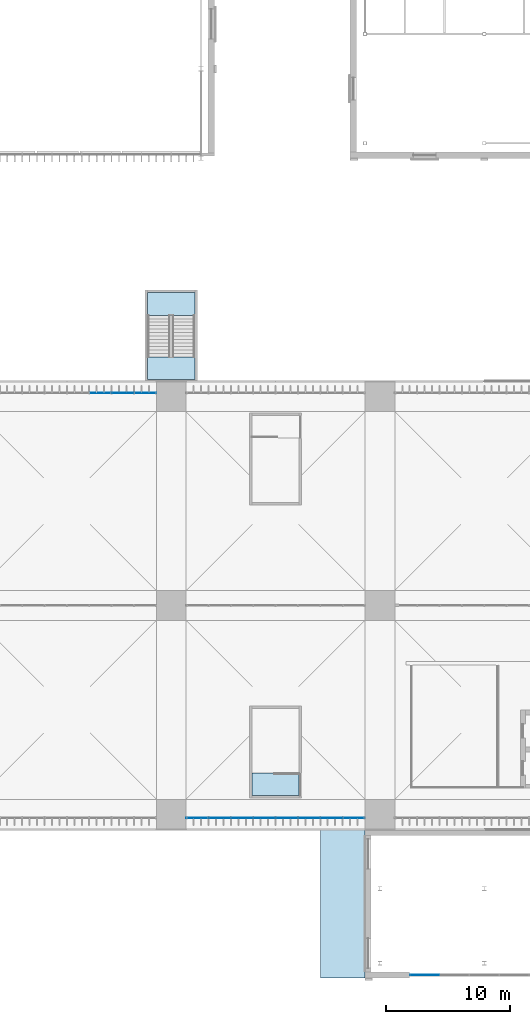
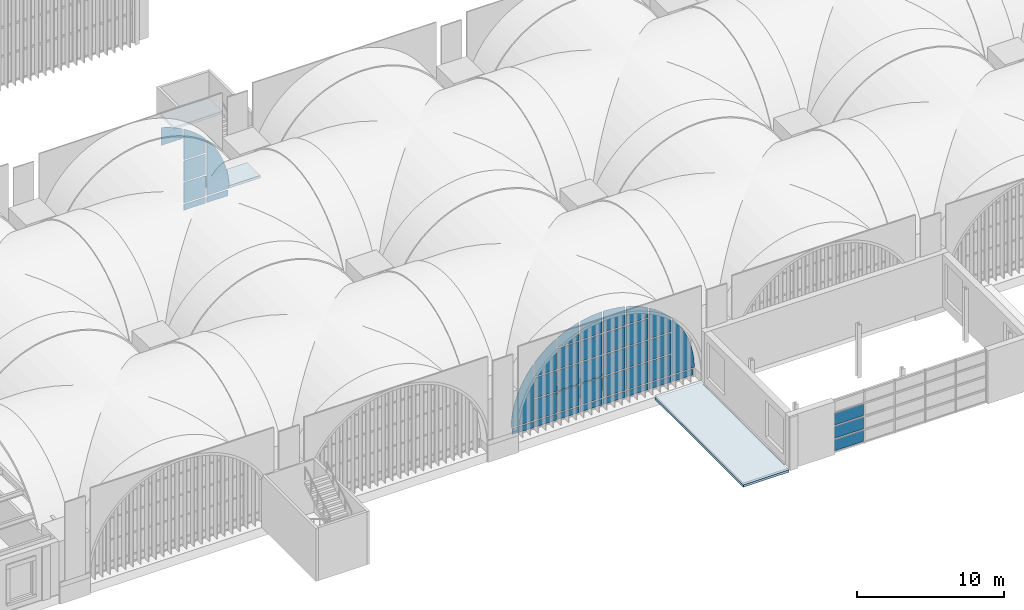
# One storey, part 80 of 169: 42 plates, 4 slabs, 4 elements without a shape of their own.
"""IFC4 building model written with IfcOpenShell, lengths in metres."""

from ifc_helpers import new_model, si_unit, direction, frame, origin, origin_2d, place, context, subcontext, project, spatial, polyline, rectangle, outline, extrude, material, layer, layer_set, type_object, element, aggregate, save


model = new_model("IFC4")

# Units and contexts
model_context = context("Model", 3, precision=1e-05, world=origin(), true_north=direction((0.0, 1.0)))
body_context = subcontext(model_context, "Body", "Model", "MODEL_VIEW")
ifc_project = project(units=[si_unit("LENGTHUNIT", "METRE"), si_unit("AREAUNIT", "SQUARE_METRE"), si_unit("VOLUMEUNIT", "CUBIC_METRE"), si_unit("PLANEANGLEUNIT", "RADIAN"), si_unit("MASSUNIT", "GRAM", prefix="KILO")], contexts=[model_context])

# Site, building, storey
site_placement = place(None, origin())
site = spatial("IfcSite", under=ifc_project, at=site_placement, CompositionType="ELEMENT")
building_placement = place(site_placement, origin())
building = spatial("IfcBuilding", under=site, at=building_placement, Name="Verrick Yard Athletic Hall", CompositionType="ELEMENT")
storey_placement = place(building_placement, frame((0.0, 0.0, 4.39990234375)))
storey = spatial("IfcBuildingStorey", under=building, at=storey_placement, Name="L01", CompositionType="ELEMENT", Elevation=4.39990234375)

# Slabs
ifc_material_1 = material(Name="Concrete 35 MPa", Category="concrete")
ifc_layer_1 = layer(ifc_material_1, 0.199951171875)
ifc_layer_set_1 = layer_set([ifc_layer_1], Name="Core floor slab 200")
slab_type_1 = type_object("IfcSlabType", Name="Core floor slab 200", PredefinedType="FLOOR", material=ifc_layer_set_1)
slab_1_placement = place(storey_placement, frame((0.0, 0.0, -0.199951171875)))
element("IfcSlab", 1, at=slab_1_placement, inside=storey, type_object=slab_type_1, Name="CORE-DT-N3-NL-L01", PredefinedType="FLOOR", context=body_context, shape_type="SweptSolid", body=[
    extrude(outline(polyline([(75.5, 54.199951171875), (75.5, 56.0), (71.699951171875, 56.0), (71.699951171875, 54.199951171875), (75.5, 54.199951171875)])), origin(), (0.0, 0.0, 1.0), 0.199951171875),
])
slab_2_placement = place(storey_placement, frame((0.0, 0.0, -0.199951171875)))
element("IfcSlab", 2, at=slab_2_placement, inside=storey, type_object=slab_type_1, Name="CORE-PS-S2-NL-L01", PredefinedType="FLOOR", context=body_context, shape_type="SweptSolid", body=[
    extrude(outline(polyline([(83.89990234375, 20.699951171875), (83.89990234375, 22.5), (80.10009765625, 22.5), (80.10009765625, 20.699951171875), (83.89990234375, 20.699951171875)])), origin(), (0.0, 0.0, 1.0), 0.199951171875),
])

# Curtain wall, plates
ifc_material_2 = material(Name="Aluminium and glass curtain wall", Category="aluminium")
ifc_layer_2 = layer(ifc_material_2, 0.14990234375)
ifc_layer_set_2 = layer_set([ifc_layer_2], Name="Arcade glazing arch")
curtain_wall_type_1 = type_object("IfcCurtainWallType", Name="Arcade glazing arch", PredefinedType="NOTDEFINED", material=ifc_layer_set_2)
curtain_wall_1_placement = place(storey_placement, origin())
curtain_wall_1 = element("IfcCurtainWall", 3, at=curtain_wall_1_placement, inside=storey, type_object=curtain_wall_type_1, Name="Arcade glazing S3", PredefinedType="NOTDEFINED")
ifc_material_3 = material(Name="Laminated glass 28 mm", Category="glass")
ifc_layer_3 = layer(ifc_material_3, 0.028076171875)
ifc_layer_set_3 = layer_set([ifc_layer_3], Name="Curtain wall glass panel")
plate_type_1 = type_object("IfcPlateType", Name="Curtain wall glass panel", PredefinedType="CURTAIN_PANEL", material=ifc_layer_set_3)
plate_1_placement = place(storey_placement, frame((74.800048828125, 18.89990234375, 0.101806640625), z_axis=(0.0, 0.0, 1.0), x_axis=(1.0, 0.0, 0.0)))
plate_1 = element("IfcPlate", 4, at=plate_1_placement, type_object=plate_type_1, Name="Arcade glazing S3 panel 1", PredefinedType="CURTAIN_PANEL", context=body_context, shape_type="SweptSolid", body=[
    extrude(outline(polyline([(1.749267578125, 0.0), (1.749267578125, 0.49755859375), (0.10205078125, 0.49755859375), (0.10205078125, 0.0), (1.749267578125, 0.0)])), frame((0.0, 0.01416015625, 0.0), z_axis=(0.0, -1.0, 0.0), x_axis=(1.0, 0.0, 0.0)), (0.0, 0.0, 1.0), 0.028076171875),
])
plate_2_placement = place(storey_placement, frame((74.800048828125, 18.89990234375, 0.700927734375), z_axis=(0.0, 0.0, 1.0), x_axis=(1.0, 0.0, 0.0)))
plate_2 = element("IfcPlate", 5, at=plate_2_placement, type_object=plate_type_1, Name="Arcade glazing S3 panel 2", PredefinedType="CURTAIN_PANEL", context=body_context, shape_type="SweptSolid", body=[
    extrude(outline(polyline([(1.749267578125, 4.651123046875), (1.6845703125, 4.5771484375), (1.48779296875, 4.332275390625), (1.302001953125, 4.078857421875), (1.127685546875, 3.81787109375), (0.964599609375, 3.549072265625), (0.8134765625, 3.273681640625), (0.674560546875, 2.9921875), (0.548095703125, 2.70458984375), (0.43408203125, 2.41162109375), (0.333251953125, 2.1142578125), (0.245361328125, 1.812744140625), (0.170654296875, 1.507568359375), (0.109375, 1.199462890625), (0.0615234375, 0.888916015625), (0.02734375, 0.57666015625), (0.0068359375, 0.26318359375), (0.001220703125, 0.0), (1.749267578125, 0.0), (1.749267578125, 4.651123046875)])), frame((0.0, 0.01416015625, 0.0), z_axis=(0.0, -1.0, 0.0), x_axis=(1.0, 0.0, 0.0)), (0.0, 0.0, 1.0), 0.028076171875),
])
plate_3_placement = place(storey_placement, frame((74.800048828125, 18.89990234375, 0.101806640625), z_axis=(0.0, 0.0, 1.0), x_axis=(1.0, 0.0, 0.0)))
plate_3 = element("IfcPlate", 6, at=plate_3_placement, type_object=plate_type_1, Name="Arcade glazing S3 panel 3", PredefinedType="CURTAIN_PANEL", context=body_context, shape_type="SweptSolid", body=[
    extrude(outline(polyline([(3.54931640625, 0.0), (3.54931640625, 0.49755859375), (1.850830078125, 0.49755859375), (1.850830078125, 0.0), (3.54931640625, 0.0)])), frame((0.0, 0.01416015625, 0.0), z_axis=(0.0, -1.0, 0.0), x_axis=(1.0, 0.0, 0.0)), (0.0, 0.0, 1.0), 0.028076171875),
])
plate_4_placement = place(storey_placement, frame((74.800048828125, 18.89990234375, 0.700927734375), z_axis=(0.0, 0.0, 1.0), x_axis=(1.0, 0.0, 0.0)))
plate_4 = element("IfcPlate", 7, at=plate_4_placement, type_object=plate_type_1, Name="Arcade glazing S3 panel 4", PredefinedType="CURTAIN_PANEL", context=body_context, shape_type="SweptSolid", body=[
    extrude(outline(polyline([(3.54931640625, 0.0), (3.54931640625, 1.698486328125), (1.850830078125, 1.698486328125), (1.850830078125, 0.0), (3.54931640625, 0.0)])), frame((0.0, 0.01416015625, 0.0), z_axis=(0.0, -1.0, 0.0), x_axis=(1.0, 0.0, 0.0)), (0.0, 0.0, 1.0), 0.028076171875),
])
plate_5_placement = place(storey_placement, frame((74.800048828125, 18.89990234375, 2.5009765625), z_axis=(0.0, 0.0, 1.0), x_axis=(1.0, 0.0, 0.0)))
plate_5 = element("IfcPlate", 8, at=plate_5_placement, type_object=plate_type_1, Name="Arcade glazing S3 panel 5", PredefinedType="CURTAIN_PANEL", context=body_context, shape_type="SweptSolid", body=[
    extrude(outline(polyline([(3.54931640625, 0.0), (3.54931640625, 1.6982421875), (1.850830078125, 1.6982421875), (1.850830078125, 0.0), (3.54931640625, 0.0)])), frame((0.0, 0.01416015625, 0.0), z_axis=(0.0, -1.0, 0.0), x_axis=(1.0, 0.0, 0.0)), (0.0, 0.0, 1.0), 0.028076171875),
])
plate_6_placement = place(storey_placement, frame((74.800048828125, 18.89990234375, 4.30078125), z_axis=(0.0, 0.0, 1.0), x_axis=(1.0, 0.0, 0.0)))
plate_6 = element("IfcPlate", 9, at=plate_6_placement, type_object=plate_type_1, Name="Arcade glazing S3 panel 6", PredefinedType="CURTAIN_PANEL", context=body_context, shape_type="SweptSolid", body=[
    extrude(outline(polyline([(3.54931640625, 2.553955078125), (3.331298828125, 2.421630859375), (3.0703125, 2.247314453125), (2.81689453125, 2.0615234375), (2.572021484375, 1.86474609375), (2.335693359375, 1.65771484375), (2.10888671875, 1.4404296875), (1.8916015625, 1.213623046875), (1.850830078125, 1.1669921875), (1.850830078125, 0.0), (3.54931640625, 0.0), (3.54931640625, 2.553955078125)])), frame((0.0, 0.01416015625, 0.0), z_axis=(0.0, -1.0, 0.0), x_axis=(1.0, 0.0, 0.0)), (0.0, 0.0, 1.0), 0.028076171875),
])
plate_7_placement = place(storey_placement, frame((74.800048828125, 18.89990234375, 0.101806640625), z_axis=(0.0, 0.0, 1.0), x_axis=(1.0, 0.0, 0.0)))
plate_7 = element("IfcPlate", 10, at=plate_7_placement, type_object=plate_type_1, Name="Arcade glazing S3 panel 7", PredefinedType="CURTAIN_PANEL", context=body_context, shape_type="SweptSolid", body=[
    extrude(outline(polyline([(5.34912109375, 0.0), (5.34912109375, 0.49755859375), (3.65087890625, 0.49755859375), (3.65087890625, 0.0), (5.34912109375, 0.0)])), frame((0.0, 0.01416015625, 0.0), z_axis=(0.0, -1.0, 0.0), x_axis=(1.0, 0.0, 0.0)), (0.0, 0.0, 1.0), 0.028076171875),
])
plate_8_placement = place(storey_placement, frame((74.800048828125, 18.89990234375, 0.700927734375), z_axis=(0.0, 0.0, 1.0), x_axis=(1.0, 0.0, 0.0)))
plate_8 = element("IfcPlate", 11, at=plate_8_placement, type_object=plate_type_1, Name="Arcade glazing S3 panel 8", PredefinedType="CURTAIN_PANEL", context=body_context, shape_type="SweptSolid", body=[
    extrude(outline(polyline([(5.34912109375, 0.0), (5.34912109375, 1.698486328125), (3.65087890625, 1.698486328125), (3.65087890625, 0.0), (5.34912109375, 0.0)])), frame((0.0, 0.01416015625, 0.0), z_axis=(0.0, -1.0, 0.0), x_axis=(1.0, 0.0, 0.0)), (0.0, 0.0, 1.0), 0.028076171875),
])
plate_9_placement = place(storey_placement, frame((74.800048828125, 18.89990234375, 2.5009765625), z_axis=(0.0, 0.0, 1.0), x_axis=(1.0, 0.0, 0.0)))
plate_9 = element("IfcPlate", 12, at=plate_9_placement, type_object=plate_type_1, Name="Arcade glazing S3 panel 9", PredefinedType="CURTAIN_PANEL", context=body_context, shape_type="SweptSolid", body=[
    extrude(outline(polyline([(5.34912109375, 0.0), (5.34912109375, 1.6982421875), (3.65087890625, 1.6982421875), (3.65087890625, 0.0), (5.34912109375, 0.0)])), frame((0.0, 0.01416015625, 0.0), z_axis=(0.0, -1.0, 0.0), x_axis=(1.0, 0.0, 0.0)), (0.0, 0.0, 1.0), 0.028076171875),
])
plate_10_placement = place(storey_placement, frame((74.800048828125, 18.89990234375, 4.30078125), z_axis=(0.0, 0.0, 1.0), x_axis=(1.0, 0.0, 0.0)))
plate_10 = element("IfcPlate", 13, at=plate_10_placement, type_object=plate_type_1, Name="Arcade glazing S3 panel 10", PredefinedType="CURTAIN_PANEL", context=body_context, shape_type="SweptSolid", body=[
    extrude(outline(polyline([(5.34912109375, 0.0), (5.34912109375, 1.698486328125), (3.65087890625, 1.698486328125), (3.65087890625, 0.0), (5.34912109375, 0.0)])), frame((0.0, 0.01416015625, 0.0), z_axis=(0.0, -1.0, 0.0), x_axis=(1.0, 0.0, 0.0)), (0.0, 0.0, 1.0), 0.028076171875),
])
plate_11_placement = place(storey_placement, frame((74.800048828125, 18.89990234375, 6.100830078125), z_axis=(0.0, 0.0, 1.0), x_axis=(1.0, 0.0, 0.0)))
plate_11 = element("IfcPlate", 14, at=plate_11_placement, type_object=plate_type_1, Name="Arcade glazing S3 panel 11", PredefinedType="CURTAIN_PANEL", context=body_context, shape_type="SweptSolid", body=[
    extrude(outline(polyline([(5.34912109375, 1.507080078125), (5.33642578125, 1.50390625), (5.034912109375, 1.416015625), (4.737548828125, 1.315185546875), (4.444580078125, 1.201171875), (4.156982421875, 1.07470703125), (3.87548828125, 0.935791015625), (3.65087890625, 0.8125), (3.65087890625, 0.0), (5.34912109375, 0.0), (5.34912109375, 1.507080078125)])), frame((0.0, 0.01416015625, 0.0), z_axis=(0.0, -1.0, 0.0), x_axis=(1.0, 0.0, 0.0)), (0.0, 0.0, 1.0), 0.028076171875),
])
plate_12_placement = place(storey_placement, frame((74.800048828125, 18.89990234375, 0.101806640625), z_axis=(0.0, 0.0, 1.0), x_axis=(1.0, 0.0, 0.0)))
plate_12 = element("IfcPlate", 15, at=plate_12_placement, type_object=plate_type_1, Name="Arcade glazing S3 panel 12", PredefinedType="CURTAIN_PANEL", context=body_context, shape_type="SweptSolid", body=[
    extrude(outline(polyline([(7.149169921875, 0.0), (7.149169921875, 0.49755859375), (5.45068359375, 0.49755859375), (5.45068359375, 0.0), (7.149169921875, 0.0)])), frame((0.0, 0.01416015625, 0.0), z_axis=(0.0, -1.0, 0.0), x_axis=(1.0, 0.0, 0.0)), (0.0, 0.0, 1.0), 0.028076171875),
])
plate_13_placement = place(storey_placement, frame((74.800048828125, 18.89990234375, 0.700927734375), z_axis=(0.0, 0.0, 1.0), x_axis=(1.0, 0.0, 0.0)))
plate_13 = element("IfcPlate", 16, at=plate_13_placement, type_object=plate_type_1, Name="Arcade glazing S3 panel 13", PredefinedType="CURTAIN_PANEL", context=body_context, shape_type="SweptSolid", body=[
    extrude(outline(polyline([(7.149169921875, 0.0), (7.149169921875, 1.698486328125), (5.45068359375, 1.698486328125), (5.45068359375, 0.0), (7.149169921875, 0.0)])), frame((0.0, 0.01416015625, 0.0), z_axis=(0.0, -1.0, 0.0), x_axis=(1.0, 0.0, 0.0)), (0.0, 0.0, 1.0), 0.028076171875),
])
plate_14_placement = place(storey_placement, frame((74.800048828125, 18.89990234375, 2.5009765625), z_axis=(0.0, 0.0, 1.0), x_axis=(1.0, 0.0, 0.0)))
plate_14 = element("IfcPlate", 17, at=plate_14_placement, type_object=plate_type_1, Name="Arcade glazing S3 panel 14", PredefinedType="CURTAIN_PANEL", context=body_context, shape_type="SweptSolid", body=[
    extrude(outline(polyline([(7.149169921875, 0.0), (7.149169921875, 1.6982421875), (5.45068359375, 1.6982421875), (5.45068359375, 0.0), (7.149169921875, 0.0)])), frame((0.0, 0.01416015625, 0.0), z_axis=(0.0, -1.0, 0.0), x_axis=(1.0, 0.0, 0.0)), (0.0, 0.0, 1.0), 0.028076171875),
])
plate_15_placement = place(storey_placement, frame((74.800048828125, 18.89990234375, 4.30078125), z_axis=(0.0, 0.0, 1.0), x_axis=(1.0, 0.0, 0.0)))
plate_15 = element("IfcPlate", 18, at=plate_15_placement, type_object=plate_type_1, Name="Arcade glazing S3 panel 15", PredefinedType="CURTAIN_PANEL", context=body_context, shape_type="SweptSolid", body=[
    extrude(outline(polyline([(7.149169921875, 0.0), (7.149169921875, 1.698486328125), (5.45068359375, 1.698486328125), (5.45068359375, 0.0), (7.149169921875, 0.0)])), frame((0.0, 0.01416015625, 0.0), z_axis=(0.0, -1.0, 0.0), x_axis=(1.0, 0.0, 0.0)), (0.0, 0.0, 1.0), 0.028076171875),
])
plate_16_placement = place(storey_placement, frame((74.800048828125, 18.89990234375, 6.100830078125), z_axis=(0.0, 0.0, 1.0), x_axis=(1.0, 0.0, 0.0)))
plate_16 = element("IfcPlate", 19, at=plate_16_placement, type_object=plate_type_1, Name="Arcade glazing S3 panel 16", PredefinedType="CURTAIN_PANEL", context=body_context, shape_type="SweptSolid", body=[
    extrude(outline(polyline([(7.149169921875, 1.748046875), (6.885986328125, 1.742431640625), (6.572509765625, 1.721923828125), (6.26025390625, 1.687744140625), (5.94970703125, 1.639892578125), (5.6416015625, 1.57861328125), (5.45068359375, 1.531982421875), (5.45068359375, 0.0), (7.149169921875, 0.0), (7.149169921875, 1.748046875)])), frame((0.0, 0.01416015625, 0.0), z_axis=(0.0, -1.0, 0.0), x_axis=(1.0, 0.0, 0.0)), (0.0, 0.0, 1.0), 0.028076171875),
])
plate_17_placement = place(storey_placement, frame((74.800048828125, 18.89990234375, 0.101806640625), z_axis=(0.0, 0.0, 1.0), x_axis=(1.0, 0.0, 0.0)))
plate_17 = element("IfcPlate", 20, at=plate_17_placement, type_object=plate_type_1, Name="Arcade glazing S3 panel 17", PredefinedType="CURTAIN_PANEL", context=body_context, shape_type="SweptSolid", body=[
    extrude(outline(polyline([(8.94921875, 0.0), (8.94921875, 0.49755859375), (7.250732421875, 0.49755859375), (7.250732421875, 0.0), (8.94921875, 0.0)])), frame((0.0, 0.01416015625, 0.0), z_axis=(0.0, -1.0, 0.0), x_axis=(1.0, 0.0, 0.0)), (0.0, 0.0, 1.0), 0.028076171875),
])
plate_18_placement = place(storey_placement, frame((74.800048828125, 18.89990234375, 0.700927734375), z_axis=(0.0, 0.0, 1.0), x_axis=(1.0, 0.0, 0.0)))
plate_18 = element("IfcPlate", 21, at=plate_18_placement, type_object=plate_type_1, Name="Arcade glazing S3 panel 18", PredefinedType="CURTAIN_PANEL", context=body_context, shape_type="SweptSolid", body=[
    extrude(outline(polyline([(8.94921875, 0.0), (8.94921875, 1.698486328125), (7.250732421875, 1.698486328125), (7.250732421875, 0.0), (8.94921875, 0.0)])), frame((0.0, 0.01416015625, 0.0), z_axis=(0.0, -1.0, 0.0), x_axis=(1.0, 0.0, 0.0)), (0.0, 0.0, 1.0), 0.028076171875),
])
plate_19_placement = place(storey_placement, frame((74.800048828125, 18.89990234375, 2.5009765625), z_axis=(0.0, 0.0, 1.0), x_axis=(1.0, 0.0, 0.0)))
plate_19 = element("IfcPlate", 22, at=plate_19_placement, type_object=plate_type_1, Name="Arcade glazing S3 panel 19", PredefinedType="CURTAIN_PANEL", context=body_context, shape_type="SweptSolid", body=[
    extrude(outline(polyline([(8.94921875, 0.0), (8.94921875, 1.6982421875), (7.250732421875, 1.6982421875), (7.250732421875, 0.0), (8.94921875, 0.0)])), frame((0.0, 0.01416015625, 0.0), z_axis=(0.0, -1.0, 0.0), x_axis=(1.0, 0.0, 0.0)), (0.0, 0.0, 1.0), 0.028076171875),
])
plate_20_placement = place(storey_placement, frame((74.800048828125, 18.89990234375, 4.30078125), z_axis=(0.0, 0.0, 1.0), x_axis=(1.0, 0.0, 0.0)))
plate_20 = element("IfcPlate", 23, at=plate_20_placement, type_object=plate_type_1, Name="Arcade glazing S3 panel 20", PredefinedType="CURTAIN_PANEL", context=body_context, shape_type="SweptSolid", body=[
    extrude(outline(polyline([(8.94921875, 0.0), (8.94921875, 1.698486328125), (7.250732421875, 1.698486328125), (7.250732421875, 0.0), (8.94921875, 0.0)])), frame((0.0, 0.01416015625, 0.0), z_axis=(0.0, -1.0, 0.0), x_axis=(1.0, 0.0, 0.0)), (0.0, 0.0, 1.0), 0.028076171875),
])
plate_21_placement = place(storey_placement, frame((74.800048828125, 18.89990234375, 6.100830078125), z_axis=(0.0, 0.0, 1.0), x_axis=(1.0, 0.0, 0.0)))
plate_21 = element("IfcPlate", 24, at=plate_21_placement, type_object=plate_type_1, Name="Arcade glazing S3 panel 21", PredefinedType="CURTAIN_PANEL", context=body_context, shape_type="SweptSolid", body=[
    extrude(outline(polyline([(8.94921875, 1.531982421875), (8.75830078125, 1.57861328125), (8.4501953125, 1.639892578125), (8.139892578125, 1.687744140625), (7.827392578125, 1.721923828125), (7.51416015625, 1.742431640625), (7.250732421875, 1.748046875), (7.250732421875, 0.0), (8.94921875, 0.0), (8.94921875, 1.531982421875)])), frame((0.0, 0.01416015625, 0.0), z_axis=(0.0, -1.0, 0.0), x_axis=(1.0, 0.0, 0.0)), (0.0, 0.0, 1.0), 0.028076171875),
])
plate_22_placement = place(storey_placement, frame((74.800048828125, 18.89990234375, 0.101806640625), z_axis=(0.0, 0.0, 1.0), x_axis=(1.0, 0.0, 0.0)))
plate_22 = element("IfcPlate", 25, at=plate_22_placement, type_object=plate_type_1, Name="Arcade glazing S3 panel 22", PredefinedType="CURTAIN_PANEL", context=body_context, shape_type="SweptSolid", body=[
    extrude(outline(polyline([(10.749267578125, 0.0), (10.749267578125, 0.49755859375), (9.05078125, 0.49755859375), (9.05078125, 0.0), (10.749267578125, 0.0)])), frame((0.0, 0.01416015625, 0.0), z_axis=(0.0, -1.0, 0.0), x_axis=(1.0, 0.0, 0.0)), (0.0, 0.0, 1.0), 0.028076171875),
])
plate_23_placement = place(storey_placement, frame((74.800048828125, 18.89990234375, 0.700927734375), z_axis=(0.0, 0.0, 1.0), x_axis=(1.0, 0.0, 0.0)))
plate_23 = element("IfcPlate", 26, at=plate_23_placement, type_object=plate_type_1, Name="Arcade glazing S3 panel 23", PredefinedType="CURTAIN_PANEL", context=body_context, shape_type="SweptSolid", body=[
    extrude(outline(polyline([(10.749267578125, 0.0), (10.749267578125, 1.698486328125), (9.05078125, 1.698486328125), (9.05078125, 0.0), (10.749267578125, 0.0)])), frame((0.0, 0.01416015625, 0.0), z_axis=(0.0, -1.0, 0.0), x_axis=(1.0, 0.0, 0.0)), (0.0, 0.0, 1.0), 0.028076171875),
])
plate_24_placement = place(storey_placement, frame((74.800048828125, 18.89990234375, 2.5009765625), z_axis=(0.0, 0.0, 1.0), x_axis=(1.0, 0.0, 0.0)))
plate_24 = element("IfcPlate", 27, at=plate_24_placement, type_object=plate_type_1, Name="Arcade glazing S3 panel 24", PredefinedType="CURTAIN_PANEL", context=body_context, shape_type="SweptSolid", body=[
    extrude(outline(polyline([(10.749267578125, 0.0), (10.749267578125, 1.6982421875), (9.05078125, 1.6982421875), (9.05078125, 0.0), (10.749267578125, 0.0)])), frame((0.0, 0.01416015625, 0.0), z_axis=(0.0, -1.0, 0.0), x_axis=(1.0, 0.0, 0.0)), (0.0, 0.0, 1.0), 0.028076171875),
])
plate_25_placement = place(storey_placement, frame((74.800048828125, 18.89990234375, 4.30078125), z_axis=(0.0, 0.0, 1.0), x_axis=(1.0, 0.0, 0.0)))
plate_25 = element("IfcPlate", 28, at=plate_25_placement, type_object=plate_type_1, Name="Arcade glazing S3 panel 25", PredefinedType="CURTAIN_PANEL", context=body_context, shape_type="SweptSolid", body=[
    extrude(outline(polyline([(10.749267578125, 0.0), (10.749267578125, 1.698486328125), (9.05078125, 1.698486328125), (9.05078125, 0.0), (10.749267578125, 0.0)])), frame((0.0, 0.01416015625, 0.0), z_axis=(0.0, -1.0, 0.0), x_axis=(1.0, 0.0, 0.0)), (0.0, 0.0, 1.0), 0.028076171875),
])
plate_26_placement = place(storey_placement, frame((74.800048828125, 18.89990234375, 6.100830078125), z_axis=(0.0, 0.0, 1.0), x_axis=(1.0, 0.0, 0.0)))
plate_26 = element("IfcPlate", 29, at=plate_26_placement, type_object=plate_type_1, Name="Arcade glazing S3 panel 26", PredefinedType="CURTAIN_PANEL", context=body_context, shape_type="SweptSolid", body=[
    extrude(outline(polyline([(10.749267578125, 0.8125), (10.524658203125, 0.935791015625), (10.242919921875, 1.07470703125), (9.955322265625, 1.201171875), (9.66259765625, 1.315185546875), (9.364990234375, 1.416015625), (9.0634765625, 1.50390625), (9.05078125, 1.507080078125), (9.05078125, 0.0), (10.749267578125, 0.0), (10.749267578125, 0.8125)])), frame((0.0, 0.01416015625, 0.0), z_axis=(0.0, -1.0, 0.0), x_axis=(1.0, 0.0, 0.0)), (0.0, 0.0, 1.0), 0.028076171875),
])
plate_27_placement = place(storey_placement, frame((74.800048828125, 18.89990234375, 0.101806640625), z_axis=(0.0, 0.0, 1.0), x_axis=(1.0, 0.0, 0.0)))
plate_27 = element("IfcPlate", 30, at=plate_27_placement, type_object=plate_type_1, Name="Arcade glazing S3 panel 27", PredefinedType="CURTAIN_PANEL", context=body_context, shape_type="SweptSolid", body=[
    extrude(outline(polyline([(12.54931640625, 0.0), (12.54931640625, 0.49755859375), (10.850830078125, 0.49755859375), (10.850830078125, 0.0), (12.54931640625, 0.0)])), frame((0.0, 0.01416015625, 0.0), z_axis=(0.0, -1.0, 0.0), x_axis=(1.0, 0.0, 0.0)), (0.0, 0.0, 1.0), 0.028076171875),
])
plate_28_placement = place(storey_placement, frame((74.800048828125, 18.89990234375, 0.700927734375), z_axis=(0.0, 0.0, 1.0), x_axis=(1.0, 0.0, 0.0)))
plate_28 = element("IfcPlate", 31, at=plate_28_placement, type_object=plate_type_1, Name="Arcade glazing S3 panel 28", PredefinedType="CURTAIN_PANEL", context=body_context, shape_type="SweptSolid", body=[
    extrude(outline(polyline([(12.54931640625, 0.0), (12.54931640625, 1.698486328125), (10.850830078125, 1.698486328125), (10.850830078125, 0.0), (12.54931640625, 0.0)])), frame((0.0, 0.01416015625, 0.0), z_axis=(0.0, -1.0, 0.0), x_axis=(1.0, 0.0, 0.0)), (0.0, 0.0, 1.0), 0.028076171875),
])
plate_29_placement = place(storey_placement, frame((74.800048828125, 18.89990234375, 2.5009765625), z_axis=(0.0, 0.0, 1.0), x_axis=(1.0, 0.0, 0.0)))
plate_29 = element("IfcPlate", 32, at=plate_29_placement, type_object=plate_type_1, Name="Arcade glazing S3 panel 29", PredefinedType="CURTAIN_PANEL", context=body_context, shape_type="SweptSolid", body=[
    extrude(outline(polyline([(12.54931640625, 0.0), (12.54931640625, 1.6982421875), (10.850830078125, 1.6982421875), (10.850830078125, 0.0), (12.54931640625, 0.0)])), frame((0.0, 0.01416015625, 0.0), z_axis=(0.0, -1.0, 0.0), x_axis=(1.0, 0.0, 0.0)), (0.0, 0.0, 1.0), 0.028076171875),
])
plate_30_placement = place(storey_placement, frame((74.800048828125, 18.89990234375, 4.30078125), z_axis=(0.0, 0.0, 1.0), x_axis=(1.0, 0.0, 0.0)))
plate_30 = element("IfcPlate", 33, at=plate_30_placement, type_object=plate_type_1, Name="Arcade glazing S3 panel 30", PredefinedType="CURTAIN_PANEL", context=body_context, shape_type="SweptSolid", body=[
    extrude(outline(polyline([(12.54931640625, 1.1669921875), (12.50830078125, 1.213623046875), (12.291259765625, 1.4404296875), (12.064208984375, 1.65771484375), (11.828125, 1.86474609375), (11.5830078125, 2.0615234375), (11.329833984375, 2.247314453125), (11.068603515625, 2.421630859375), (10.850830078125, 2.553955078125), (10.850830078125, 0.0), (12.54931640625, 0.0), (12.54931640625, 1.1669921875)])), frame((0.0, 0.01416015625, 0.0), z_axis=(0.0, -1.0, 0.0), x_axis=(1.0, 0.0, 0.0)), (0.0, 0.0, 1.0), 0.028076171875),
])
plate_31_placement = place(storey_placement, frame((74.800048828125, 18.89990234375, 0.101806640625), z_axis=(0.0, 0.0, 1.0), x_axis=(1.0, 0.0, 0.0)))
plate_31 = element("IfcPlate", 34, at=plate_31_placement, type_object=plate_type_1, Name="Arcade glazing S3 panel 31", PredefinedType="CURTAIN_PANEL", context=body_context, shape_type="SweptSolid", body=[
    extrude(outline(polyline([(14.2978515625, 0.0), (14.2978515625, 0.49755859375), (12.65087890625, 0.49755859375), (12.65087890625, 0.0), (14.2978515625, 0.0)])), frame((0.0, 0.01416015625, 0.0), z_axis=(0.0, -1.0, 0.0), x_axis=(1.0, 0.0, 0.0)), (0.0, 0.0, 1.0), 0.028076171875),
])
plate_32_placement = place(storey_placement, frame((74.800048828125, 18.89990234375, 0.700927734375), z_axis=(0.0, 0.0, 1.0), x_axis=(1.0, 0.0, 0.0)))
plate_32 = element("IfcPlate", 35, at=plate_32_placement, type_object=plate_type_1, Name="Arcade glazing S3 panel 32", PredefinedType="CURTAIN_PANEL", context=body_context, shape_type="SweptSolid", body=[
    extrude(outline(polyline([(14.39892578125, 0.0), (14.39306640625, 0.26318359375), (14.37255859375, 0.57666015625), (14.33837890625, 0.888916015625), (14.29052734375, 1.199462890625), (14.229248046875, 1.507568359375), (14.15478515625, 1.812744140625), (14.06689453125, 2.1142578125), (13.9658203125, 2.41162109375), (13.851806640625, 2.70458984375), (13.725341796875, 2.9921875), (13.58642578125, 3.273681640625), (13.435302734375, 3.549072265625), (13.2724609375, 3.81787109375), (13.097900390625, 4.078857421875), (12.912109375, 4.332275390625), (12.715576171875, 4.5771484375), (12.65087890625, 4.651123046875), (12.65087890625, 0.0), (14.39892578125, 0.0)])), frame((0.0, 0.01416015625, 0.0), z_axis=(0.0, -1.0, 0.0), x_axis=(1.0, 0.0, 0.0)), (0.0, 0.0, 1.0), 0.028076171875),
])
aggregate(curtain_wall_1, [plate_1, plate_2, plate_3, plate_4, plate_5, plate_6, plate_7, plate_8, plate_9, plate_10, plate_11, plate_12, plate_13, plate_14, plate_15, plate_16, plate_17, plate_18, plate_19, plate_20, plate_21, plate_22, plate_23, plate_24, plate_25, plate_26, plate_27, plate_28, plate_29, plate_30, plate_31, plate_32])

curtain_wall_2_placement = place(storey_placement, origin())
curtain_wall_2 = element("IfcCurtainWall", 36, at=curtain_wall_2_placement, inside=storey, type_object=curtain_wall_type_1, Name="Arcade glazing N2", PredefinedType="NOTDEFINED")
plate_33_placement = place(storey_placement, frame((58.0, 53.10009765625, 6.100830078125), z_axis=(0.0, 0.0, 1.0), x_axis=(1.0, 0.0, 0.0)))
plate_33 = element("IfcPlate", 37, at=plate_33_placement, type_object=plate_type_1, Name="Arcade glazing N2 panel 26", PredefinedType="CURTAIN_PANEL", context=body_context, shape_type="SweptSolid", body=[
    extrude(outline(polyline([(10.749267578125, 0.8125), (10.524658203125, 0.935791015625), (10.242919921875, 1.07470703125), (9.955322265625, 1.201171875), (9.66259765625, 1.315185546875), (9.364990234375, 1.416015625), (9.0634765625, 1.50390625), (9.05078125, 1.507080078125), (9.05078125, 0.0), (10.749267578125, 0.0), (10.749267578125, 0.8125)])), frame((0.0, 0.01416015625, 0.0), z_axis=(0.0, -1.0, 0.0), x_axis=(1.0, 0.0, 0.0)), (0.0, 0.0, 1.0), 0.028076171875),
])
plate_34_placement = place(storey_placement, frame((58.0, 53.10009765625, 0.101806640625), z_axis=(0.0, 0.0, 1.0), x_axis=(1.0, 0.0, 0.0)))
plate_34 = element("IfcPlate", 38, at=plate_34_placement, type_object=plate_type_1, Name="Arcade glazing N2 panel 27", PredefinedType="CURTAIN_PANEL", context=body_context, shape_type="SweptSolid", body=[
    extrude(outline(polyline([(12.54931640625, 0.0), (12.54931640625, 0.49755859375), (10.850830078125, 0.49755859375), (10.850830078125, 0.0), (12.54931640625, 0.0)])), frame((0.0, 0.01416015625, 0.0), z_axis=(0.0, -1.0, 0.0), x_axis=(1.0, 0.0, 0.0)), (0.0, 0.0, 1.0), 0.028076171875),
])
plate_35_placement = place(storey_placement, frame((58.0, 53.10009765625, 0.700927734375), z_axis=(0.0, 0.0, 1.0), x_axis=(1.0, 0.0, 0.0)))
plate_35 = element("IfcPlate", 39, at=plate_35_placement, type_object=plate_type_1, Name="Arcade glazing N2 panel 28", PredefinedType="CURTAIN_PANEL", context=body_context, shape_type="SweptSolid", body=[
    extrude(outline(polyline([(12.54931640625, 0.0), (12.54931640625, 1.698486328125), (10.850830078125, 1.698486328125), (10.850830078125, 0.0), (12.54931640625, 0.0)])), frame((0.0, 0.01416015625, 0.0), z_axis=(0.0, -1.0, 0.0), x_axis=(1.0, 0.0, 0.0)), (0.0, 0.0, 1.0), 0.028076171875),
])
plate_36_placement = place(storey_placement, frame((58.0, 53.10009765625, 2.5009765625), z_axis=(0.0, 0.0, 1.0), x_axis=(1.0, 0.0, 0.0)))
plate_36 = element("IfcPlate", 40, at=plate_36_placement, type_object=plate_type_1, Name="Arcade glazing N2 panel 29", PredefinedType="CURTAIN_PANEL", context=body_context, shape_type="SweptSolid", body=[
    extrude(outline(polyline([(12.54931640625, 0.0), (12.54931640625, 1.6982421875), (10.850830078125, 1.6982421875), (10.850830078125, 0.0), (12.54931640625, 0.0)])), frame((0.0, 0.01416015625, 0.0), z_axis=(0.0, -1.0, 0.0), x_axis=(1.0, 0.0, 0.0)), (0.0, 0.0, 1.0), 0.028076171875),
])
plate_37_placement = place(storey_placement, frame((58.0, 53.10009765625, 4.30078125), z_axis=(0.0, 0.0, 1.0), x_axis=(1.0, 0.0, 0.0)))
plate_37 = element("IfcPlate", 41, at=plate_37_placement, type_object=plate_type_1, Name="Arcade glazing N2 panel 30", PredefinedType="CURTAIN_PANEL", context=body_context, shape_type="SweptSolid", body=[
    extrude(outline(polyline([(12.54931640625, 1.1669921875), (12.50830078125, 1.213623046875), (12.291259765625, 1.4404296875), (12.064208984375, 1.65771484375), (11.828125, 1.86474609375), (11.5830078125, 2.0615234375), (11.329833984375, 2.247314453125), (11.068603515625, 2.421630859375), (10.850830078125, 2.553955078125), (10.850830078125, 0.0), (12.54931640625, 0.0), (12.54931640625, 1.1669921875)])), frame((0.0, 0.01416015625, 0.0), z_axis=(0.0, -1.0, 0.0), x_axis=(1.0, 0.0, 0.0)), (0.0, 0.0, 1.0), 0.028076171875),
])
plate_38_placement = place(storey_placement, frame((58.0, 53.10009765625, 0.101806640625), z_axis=(0.0, 0.0, 1.0), x_axis=(1.0, 0.0, 0.0)))
plate_38 = element("IfcPlate", 42, at=plate_38_placement, type_object=plate_type_1, Name="Arcade glazing N2 panel 31", PredefinedType="CURTAIN_PANEL", context=body_context, shape_type="SweptSolid", body=[
    extrude(outline(polyline([(14.2978515625, 0.0), (14.2978515625, 0.49755859375), (12.65087890625, 0.49755859375), (12.65087890625, 0.0), (14.2978515625, 0.0)])), frame((0.0, 0.01416015625, 0.0), z_axis=(0.0, -1.0, 0.0), x_axis=(1.0, 0.0, 0.0)), (0.0, 0.0, 1.0), 0.028076171875),
])
plate_39_placement = place(storey_placement, frame((58.0, 53.10009765625, 0.700927734375), z_axis=(0.0, 0.0, 1.0), x_axis=(1.0, 0.0, 0.0)))
plate_39 = element("IfcPlate", 43, at=plate_39_placement, type_object=plate_type_1, Name="Arcade glazing N2 panel 32", PredefinedType="CURTAIN_PANEL", context=body_context, shape_type="SweptSolid", body=[
    extrude(outline(polyline([(14.39892578125, 0.0), (14.39306640625, 0.26318359375), (14.37255859375, 0.57666015625), (14.33837890625, 0.888916015625), (14.29052734375, 1.199462890625), (14.229248046875, 1.507568359375), (14.15478515625, 1.812744140625), (14.06689453125, 2.1142578125), (13.9658203125, 2.41162109375), (13.851806640625, 2.70458984375), (13.725341796875, 2.9921875), (13.58642578125, 3.273681640625), (13.435302734375, 3.549072265625), (13.2724609375, 3.81787109375), (13.097900390625, 4.078857421875), (12.912109375, 4.332275390625), (12.715576171875, 4.5771484375), (12.65087890625, 4.651123046875), (12.65087890625, 0.0), (14.39892578125, 0.0)])), frame((0.0, 0.01416015625, 0.0), z_axis=(0.0, -1.0, 0.0), x_axis=(1.0, 0.0, 0.0)), (0.0, 0.0, 1.0), 0.028076171875),
])
aggregate(curtain_wall_2, [plate_33, plate_34, plate_35, plate_36, plate_37, plate_38, plate_39])

ifc_material_4 = material(Name="Anodised aluminium", Category="aluminium")
ifc_layer_4 = layer(ifc_material_4, 0.199951171875)
ifc_layer_set_4 = layer_set([ifc_layer_4], Name="Front glazing")
curtain_wall_type_2 = type_object("IfcCurtainWallType", Name="Front glazing", PredefinedType="NOTDEFINED", material=ifc_layer_set_4)
curtain_wall_3_placement = place(storey_placement, origin())
curtain_wall_3 = element("IfcCurtainWall", 44, at=curtain_wall_3_placement, inside=storey, type_object=curtain_wall_type_2, Name="ENVB-FY-S-CW", PredefinedType="NOTDEFINED")
ifc_material_5 = material(Name="Glass IGU low-e", Category="glass")
ifc_layer_5 = layer(ifc_material_5, 0.03125)
ifc_layer_set_5 = layer_set([ifc_layer_5], Name="Glazing panel 31")
plate_type_2 = type_object("IfcPlateType", Name="Glazing panel 31", PredefinedType="CURTAIN_PANEL", material=ifc_layer_set_5)
plate_40_placement = place(storey_placement, frame((94.014892578125, 6.25, 0.1201171875), z_axis=(0.0, 0.0, 1.0), x_axis=(1.0, 0.0, 0.0)))
plate_40 = element("IfcPlate", 45, at=plate_40_placement, type_object=plate_type_2, Name="ENVB-FY-S-CW/P00-00", PredefinedType="CURTAIN_PANEL", context=body_context, shape_type="SweptSolid", body=[
    extrude(rectangle(XDim=2.31005859375, YDim=0.03125, at=origin_2d()), origin(), (0.0, 0.0, 1.0), 0.919921875),
])
plate_41_placement = place(storey_placement, frame((94.014892578125, 6.25, 1.16015625), z_axis=(0.0, 0.0, 1.0), x_axis=(1.0, 0.0, 0.0)))
plate_41 = element("IfcPlate", 46, at=plate_41_placement, type_object=plate_type_2, Name="ENVB-FY-S-CW/P00-01", PredefinedType="CURTAIN_PANEL", context=body_context, shape_type="SweptSolid", body=[
    extrude(rectangle(XDim=2.31005859375, YDim=0.03125, at=origin_2d()), origin(), (0.0, 0.0, 1.0), 0.97998046875),
])
plate_42_placement = place(storey_placement, frame((94.014892578125, 6.25, 2.260009765625), z_axis=(0.0, 0.0, 1.0), x_axis=(1.0, 0.0, 0.0)))
plate_42 = element("IfcPlate", 47, at=plate_42_placement, type_object=plate_type_2, Name="ENVB-FY-S-CW/P00-02", PredefinedType="CURTAIN_PANEL", context=body_context, shape_type="SweptSolid", body=[
    extrude(rectangle(XDim=2.31005859375, YDim=0.03125, at=origin_2d()), origin(), (0.0, 0.0, 1.0), 0.97998046875),
])
aggregate(curtain_wall_3, [plate_40, plate_41, plate_42])

# Slab
ifc_layer_6 = layer(ifc_material_1, 0.199951171875)
ifc_layer_set_6 = layer_set([ifc_layer_6], Name="STR Roof garden slab SL6")
slab_type_2 = type_object("IfcSlabType", Name="STR Roof garden slab SL6", PredefinedType="ROOF", material=ifc_layer_set_6)
slab_3_placement = place(storey_placement, frame((0.0, 0.0, -0.199951171875)))
element("IfcSlab", 48, at=slab_3_placement, inside=storey, type_object=slab_type_2, Name="STR-SL-LT-W", PredefinedType="ROOF", context=body_context, shape_type="SweptSolid", body=[
    extrude(outline(polyline([(85.60009765625, 6.0), (89.199951171875, 6.0), (89.199951171875, 18.0), (85.60009765625, 18.0), (85.60009765625, 6.0)])), origin(), (0.0, 0.0, 1.0), 0.199951171875),
])

# Stair, slab
stair_type = type_object("IfcStairType", Name="Stair ST3 1800 wide 26 risers", PredefinedType="HALF_TURN_STAIR", material=ifc_material_1)
stair_placement = place(storey_placement, origin())
stair = element("IfcStair", 49, at=stair_placement, inside=storey, type_object=stair_type, Name="North deck escape 3 stair L01", PredefinedType="HALF_TURN_STAIR")
ifc_layer_7 = layer(ifc_material_1, 0.199951171875)
ifc_layer_set_7 = layer_set([ifc_layer_7], Name="Stair landing slab 200")
slab_type_3 = type_object("IfcSlabType", Name="Stair landing slab 200", PredefinedType="LANDING", material=ifc_layer_set_7)
slab_4_placement = place(storey_placement, frame((0.0, 0.0, 2.0)))
slab_4 = element("IfcSlab", 50, at=slab_4_placement, type_object=slab_type_3, Name="ST3 landing 1", PredefinedType="LANDING", context=body_context, shape_type="SweptSolid", body=[
    extrude(outline(polyline([(75.5, 59.360107421875), (75.5, 61.199951171875), (71.699951171875, 61.199951171875), (71.699951171875, 59.360107421875), (75.5, 59.360107421875)])), origin(), (0.0, 0.0, 1.0), 0.2001953125),
])
aggregate(stair, [slab_4])

save(model, "model.ifc")
